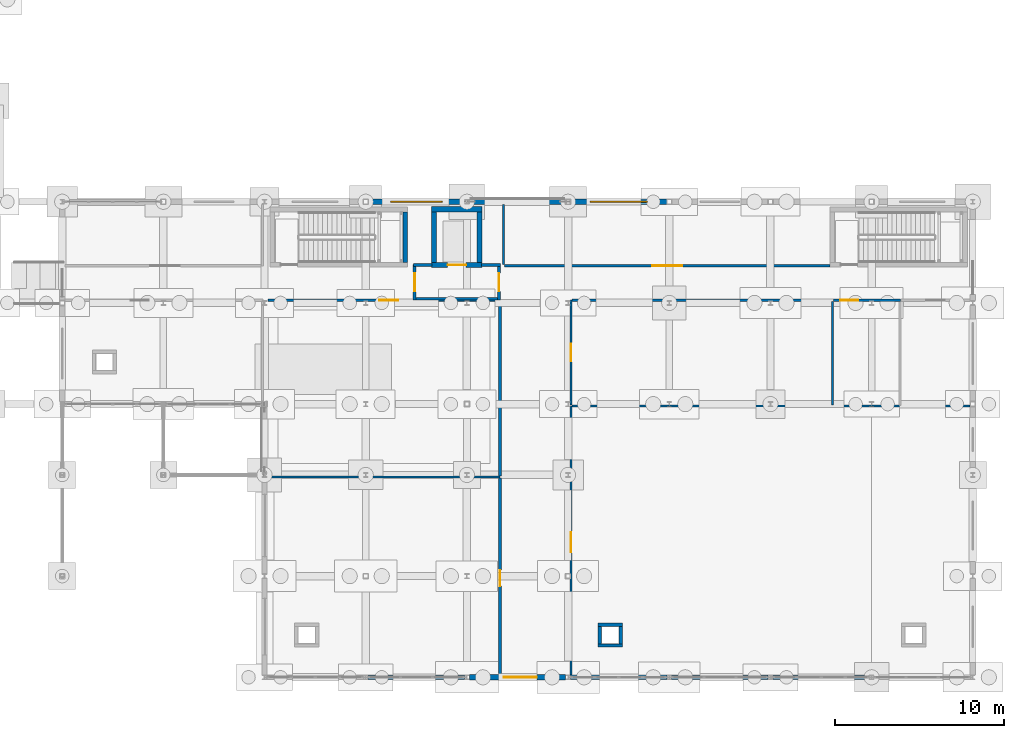
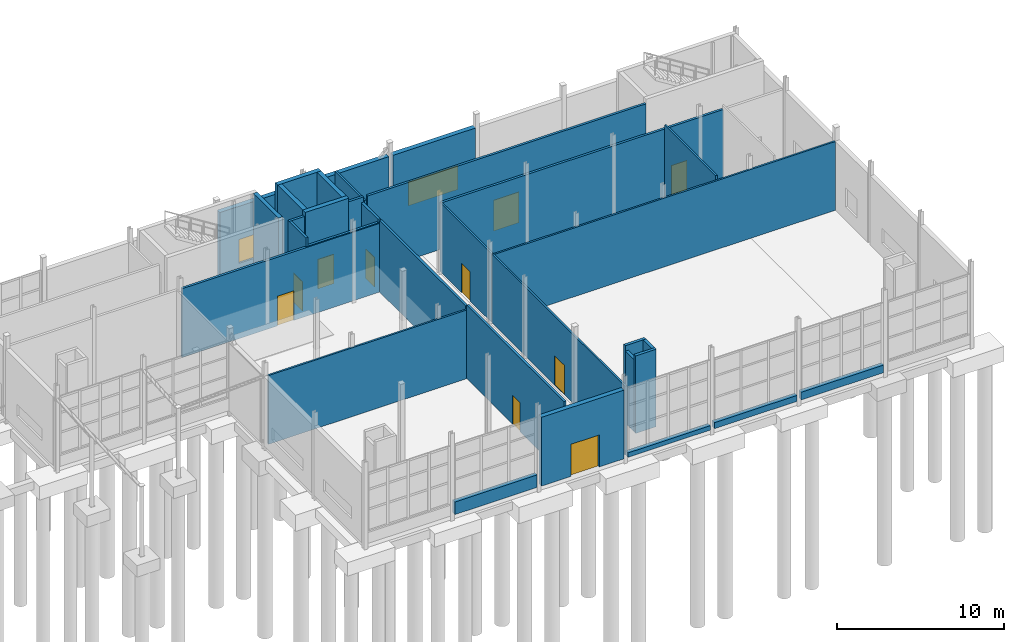
# One storey, part 101 of 120: 34 walls, 10 doors, 2 windows, 12 openings.
"""IFC4 building model written with IfcOpenShell, lengths in metres."""

from ifc_helpers import new_model, si_unit, direction, frame, frame_2d, origin, place, context, subcontext, project, spatial, rectangle, extrude, material, layer, layer_set, type_object, element, fill, save


model = new_model("IFC4")

# Units and contexts
model_context = context("Model", 3, precision=1e-05, world=origin(), true_north=direction((0.0, 1.0)))
body_context = subcontext(model_context, "Body", "Model", "MODEL_VIEW")
ifc_project = project(units=[si_unit("LENGTHUNIT", "METRE"), si_unit("AREAUNIT", "SQUARE_METRE"), si_unit("VOLUMEUNIT", "CUBIC_METRE"), si_unit("PLANEANGLEUNIT", "RADIAN"), si_unit("MASSUNIT", "GRAM", prefix="KILO")], contexts=[model_context])

# Site, building, storey
site_placement = place(None, origin())
site = spatial("IfcSite", under=ifc_project, at=site_placement, CompositionType="ELEMENT")
building_placement = place(site_placement, origin())
building = spatial("IfcBuilding", under=site, at=building_placement, Name="Siltcreek Boulevard Central Fire Station", CompositionType="ELEMENT")
storey_placement = place(building_placement, origin())
storey = spatial("IfcBuildingStorey", under=building, at=storey_placement, Name="L01", CompositionType="ELEMENT", Elevation=0.0)

# Wall
ifc_material_1 = material(Name="Concrete C40/50", Category="concrete")
ifc_layer_1 = layer(ifc_material_1, 0.280029296875, Name="Concrete C40/50")
ifc_layer_set_1 = layer_set([ifc_layer_1], Name="Concrete C40/50")
wall_type_1 = type_object("IfcWallType", Name="CW_SHEAR280", PredefinedType="SHEAR", material=ifc_layer_set_1)
wall_1_placement = place(storey_placement, frame((132.5400390625, 26.39990234375, 0.0), z_axis=(0.0, 0.0, 1.0), x_axis=(0.0, 1.0, 0.0)))
element("IfcWall", 1, at=wall_1_placement, inside=storey, type_object=wall_type_1, Name="L01 ST-V6A stair enclosure east shear wall", PredefinedType="SHEAR", context=body_context, shape_type="SweptSolid", body=[
    extrude(rectangle(XDim=3.0, YDim=0.280029296875, at=frame_2d((1.5, 0.0))), origin(), (0.0, 0.0, 1.0), 6.0),
])

# Wall, opening, door
ifc_layer_2 = layer(ifc_material_1, 0.304931640625, Name="Concrete C40/50")
ifc_layer_set_2 = layer_set([ifc_layer_2], Name="Concrete C40/50")
wall_type_2 = type_object("IfcWallType", Name="CW_SHEAR305", PredefinedType="SHEAR", material=ifc_layer_set_2)
wall_2_placement = place(storey_placement, frame((134.094970703125, 26.24755859375, 0.0), z_axis=(0.0, 0.0, 1.0), x_axis=(1.0, 0.0, 0.0)))
wall_2 = element("IfcWall", 2, at=wall_2_placement, inside=storey, type_object=wall_type_2, Name="L01 EL-05 elevator shaft south shear wall", PredefinedType="SHEAR", context=body_context, shape_type="SweptSolid", body=[
    extrude(rectangle(XDim=3.010009765625, YDim=0.304931640625, at=frame_2d((1.5048828125, 0.0))), origin(), (0.0, 0.0, 1.0), 6.0),
])
opening_1_placement = place(wall_2_placement, frame((0.955078125, 0.0, 0.0)))
opening_1 = element("IfcOpeningElement", 3, at=opening_1_placement, cuts=wall_2, Name="Opening LD01", PredefinedType="OPENING", context=body_context, shape_type="SweptSolid", body=[
    extrude(rectangle(XDim=1.10009765625, YDim=2.14990234375, at=frame_2d((0.550048828125, 1.074951171875))), frame((0.0, 0.162353515625, 0.0), z_axis=(0.0, -1.0, 0.0), x_axis=(1.0, 0.0, 0.0)), (0.0, 0.0, 1.0), 0.324951171875),
])
ifc_material_2 = material(Name="Stainless steel fire-rated sliding elevator landing door", Category="steel")
door_type_1 = type_object("IfcDoorType", Name="DR_LD_110X215", OperationType="NOTDEFINED", PredefinedType="DOOR", material=ifc_material_2)
door_1_placement = place(opening_1_placement, origin())
door_1 = element("IfcDoor", 4, at=door_1_placement, inside=storey, type_object=door_type_1, Name="L01 EL-05 elevator sliding landing door LD-22", OperationType="SLIDING_TO_LEFT", OverallHeight=2.14990234375, OverallWidth=1.10009765625, PredefinedType="DOOR", context=body_context, shape_type="SweptSolid", body=[
    extrude(rectangle(XDim=1.10009765625, YDim=2.14990234375, at=frame_2d((0.550048828125, 1.074951171875))), frame((0.0, 0.02490234375, 0.0), z_axis=(0.0, -1.0, 0.0), x_axis=(1.0, 0.0, 0.0)), (0.0, 0.0, 1.0), 0.050048828125),
])
fill(opening_1, door_1)

# Walls
wall_3_placement = place(storey_placement, frame((137.10498046875, 29.552490234375, 0.0), z_axis=(0.0, 0.0, 1.0), x_axis=(-1.0, 0.0, 0.0)))
element("IfcWall", 5, at=wall_3_placement, inside=storey, type_object=wall_type_2, Name="L01 EL-05 elevator shaft north shear wall", PredefinedType="SHEAR", context=body_context, shape_type="SweptSolid", body=[
    extrude(rectangle(XDim=3.010009765625, YDim=0.304931640625, at=frame_2d((1.5048828125, 0.0))), origin(), (0.0, 0.0, 1.0), 6.0),
])
for number, where, z_axis, x_axis, name in (
    (6, (134.24755859375, 29.39990234375, 0.0), (0.0, 0.0, 1.0), (0.0, -1.0, 0.0), "L01 EL-05 elevator shaft west shear wall"),
    (7, (136.952392578125, 26.39990234375, 0.0), (0.0, 0.0, 1.0), (0.0, 1.0, 0.0), "L01 EL-05 elevator shaft east shear wall"),
):
    element("IfcWall", number, at=place(storey_placement, frame(where, z_axis=z_axis, x_axis=x_axis)), inside=storey, type_object=wall_type_2, Name=name, PredefinedType="SHEAR", context=body_context, shape_type="SweptSolid", body=[
        extrude(rectangle(XDim=3.0, YDim=0.304931640625, at=frame_2d((1.5, 0.0))), origin(), (0.0, 0.0, 1.0), 6.0),
    ])
ifc_material_3 = material(Name="White ribbed aluminum spandrel wall", Category="aluminium")
ifc_layer_3 = layer(ifc_material_3, 0.2900390625, Name="White ribbed aluminum spandrel wall")
ifc_layer_set_3 = layer_set([ifc_layer_3], Name="White ribbed aluminum spandrel wall")
wall_type_3 = type_object("IfcWallType", Name="EW_METAL290", PredefinedType="STANDARD", material=ifc_layer_set_3)
wall_4_placement = place(storey_placement, frame((130.344970703125, 1.800048828125, 0.0), z_axis=(0.0, 0.0, 1.0), x_axis=(1.0, 0.0, 0.0)))
element("IfcWall", 8, at=wall_4_placement, inside=storey, type_object=wall_type_3, Name="L01 V6 curtain-wall sill spandrel 0430", PredefinedType="STANDARD", context=body_context, shape_type="SweptSolid", body=[
    extrude(rectangle(XDim=5.7099609375, YDim=0.2900390625, at=frame_2d((2.85498046875, 0.0))), origin(), (0.0, 0.0, 1.0), 0.919921875),
])
wall_5_placement = place(storey_placement, frame((142.344970703125, 1.800048828125, 0.0), z_axis=(0.0, 0.0, 1.0), x_axis=(1.0, 0.0, 0.0)))
element("IfcWall", 9, at=wall_5_placement, inside=storey, type_object=wall_type_3, Name="L01 V6 curtain-wall sill spandrel 0432", PredefinedType="STANDARD", context=body_context, shape_type="SweptSolid", body=[
    extrude(rectangle(XDim=5.7099609375, YDim=0.2900390625, at=frame_2d((2.85498046875, 0.0))), origin(), (0.0, 0.0, 1.0), 0.320068359375),
])
wall_6_placement = place(storey_placement, frame((148.344970703125, 1.800048828125, 0.0), z_axis=(0.0, 0.0, 1.0), x_axis=(1.0, 0.0, 0.0)))
element("IfcWall", 10, at=wall_6_placement, inside=storey, type_object=wall_type_3, Name="L01 V6 curtain-wall sill spandrel 0433", PredefinedType="STANDARD", context=body_context, shape_type="SweptSolid", body=[
    extrude(rectangle(XDim=5.7099609375, YDim=0.2900390625, at=frame_2d((2.85498046875, 0.0))), origin(), (0.0, 0.0, 1.0), 0.43994140625),
])
wall_7_placement = place(storey_placement, frame((154.344970703125, 1.800048828125, 0.0), z_axis=(0.0, 0.0, 1.0), x_axis=(1.0, 0.0, 0.0)))
element("IfcWall", 11, at=wall_7_placement, inside=storey, type_object=wall_type_3, Name="L01 V6 curtain-wall sill spandrel 0434", PredefinedType="STANDARD", context=body_context, shape_type="SweptSolid", body=[
    extrude(rectangle(XDim=5.7099609375, YDim=0.2900390625, at=frame_2d((2.85498046875, 0.0))), origin(), (0.0, 0.0, 1.0), 0.56005859375),
])

# Wall, opening, door
ifc_material_4 = material(Name="White ribbed aluminum insulated rainscreen panel", Category="aluminium")
ifc_layer_4 = layer(ifc_material_4, 0.320068359375, Name="White ribbed aluminum insulated rainscreen panel")
ifc_layer_set_4 = layer_set([ifc_layer_4], Name="White ribbed aluminum insulated rainscreen panel")
wall_type_4 = type_object("IfcWallType", Name="EW_METAL320", PredefinedType="STANDARD", material=ifc_layer_set_4)
wall_8_placement = place(storey_placement, frame((136.344970703125, 1.800048828125, 0.0), z_axis=(0.0, 0.0, 1.0), x_axis=(1.0, 0.0, 0.0)))
wall_8 = element("IfcWall", 12, at=wall_8_placement, inside=storey, type_object=wall_type_4, Name="L01 V6 exterior insulated rainscreen wall WL-EXT-L01-0431", PredefinedType="STANDARD", context=body_context, shape_type="SweptSolid", body=[
    extrude(rectangle(XDim=5.7099609375, YDim=0.320068359375, at=frame_2d((2.85498046875, 0.0))), origin(), (0.0, 0.0, 1.0), 5.034912109375),
])
opening_2_placement = place(wall_8_placement, frame((2.052001953125, 0.0, 0.0)))
opening_2 = element("IfcOpeningElement", 13, at=opening_2_placement, cuts=wall_8, Name="Opening ED-142", PredefinedType="OPENING", context=body_context, shape_type="SweptSolid", body=[
    extrude(rectangle(XDim=1.949951171875, YDim=2.35009765625, at=frame_2d((0.97509765625, 1.175048828125))), frame((0.0, 0.169921875, 0.0), z_axis=(0.0, -1.0, 0.0), x_axis=(1.0, 0.0, 0.0)), (0.0, 0.0, 1.0), 0.340087890625),
])
ifc_material_5 = material(Name="Hollow metal insulated exit discharge pair")
door_type_2 = type_object("IfcDoorType", Name="DR_EXT_195X235", OperationType="NOTDEFINED", PredefinedType="DOOR", material=ifc_material_5)
door_2_placement = place(opening_2_placement, frame((1.949951171875, 0.0, 0.0), z_axis=(0.0, 0.0, 1.0), x_axis=(-1.0, 0.0, 0.0)))
door_2 = element("IfcDoor", 14, at=door_2_placement, inside=storey, type_object=door_type_2, Name="Ground level pedestrian final exit door ED-142", OperationType="DOUBLE_DOOR_SINGLE_SWING", OverallHeight=2.35009765625, OverallWidth=1.949951171875, PredefinedType="DOOR", context=body_context, shape_type="SweptSolid", body=[
    extrude(rectangle(XDim=1.949951171875, YDim=2.35009765625, at=frame_2d((0.97509765625, 1.175048828125))), frame((0.0, 0.02490234375, 0.0), z_axis=(0.0, -1.0, 0.0), x_axis=(1.0, 0.0, 0.0)), (0.0, 0.0, 1.0), 0.050048828125),
])
fill(opening_2, door_2)

# Wall, opening, window
wall_9_placement = place(storey_placement, frame((136.054931640625, 30.0, 0.0), z_axis=(0.0, 0.0, 1.0), x_axis=(-1.0, 0.0, 0.0)))
wall_9 = element("IfcWall", 15, at=wall_9_placement, inside=storey, type_object=wall_type_4, Name="L01 V6 exterior insulated rainscreen wall WL-EXT-L01-0441", PredefinedType="STANDARD", context=body_context, shape_type="SweptSolid", body=[
    extrude(rectangle(XDim=5.7099609375, YDim=0.320068359375, at=frame_2d((2.85498046875, 0.0))), origin(), (0.0, 0.0, 1.0), 5.034912109375),
])
opening_3_placement = place(wall_9_placement, frame((1.330078125, 0.0, 0.85009765625)))
opening_3 = element("IfcOpeningElement", 16, at=opening_3_placement, cuts=wall_9, Name="Opening WN24", PredefinedType="OPENING", context=body_context, shape_type="SweptSolid", body=[
    extrude(rectangle(XDim=3.050048828125, YDim=1.75, at=frame_2d((1.52490234375, 0.875))), frame((0.0, 0.169921875, 0.0), z_axis=(0.0, -1.0, 0.0), x_axis=(1.0, 0.0, 0.0)), (0.0, 0.0, 1.0), 0.340087890625),
])
ifc_material_6 = material(Name="Thermally broken aluminum frame with low-E insulated glass", Category="aluminium")
window_type_1 = type_object("IfcWindowType", Name="WN_PB_305X175", PartitioningType="SINGLE_PANEL", PredefinedType="WINDOW", material=ifc_material_6)
window_1_placement = place(opening_3_placement, origin())
window_1 = element("IfcWindow", 17, at=window_1_placement, inside=storey, type_object=window_type_1, Name="L01 V6 exterior window WN-0165", OverallHeight=1.75, OverallWidth=3.050048828125, PartitioningType="SINGLE_PANEL", PredefinedType="WINDOW", context=body_context, shape_type="SweptSolid", body=[
    extrude(rectangle(XDim=3.050048828125, YDim=1.75, at=frame_2d((1.52490234375, 0.875))), frame((0.0, 0.030029296875, 0.0), z_axis=(0.0, -1.0, 0.0), x_axis=(1.0, 0.0, 0.0)), (0.0, 0.0, 1.0), 0.06005859375),
])
fill(opening_3, window_1)

# Wall
wall_10_placement = place(storey_placement, frame((142.054931640625, 30.0, 0.0), z_axis=(0.0, 0.0, 1.0), x_axis=(-1.0, 0.0, 0.0)))
element("IfcWall", 18, at=wall_10_placement, inside=storey, type_object=wall_type_4, Name="L01 V6 exterior insulated rainscreen wall WL-EXT-L01-0442", PredefinedType="STANDARD", context=body_context, shape_type="SweptSolid", body=[
    extrude(rectangle(XDim=5.7099609375, YDim=0.320068359375, at=frame_2d((2.85498046875, 0.0))), origin(), (0.0, 0.0, 1.0), 5.034912109375),
])

# Wall, opening, window
wall_11_placement = place(storey_placement, frame((148.054931640625, 30.0, 0.0), z_axis=(0.0, 0.0, 1.0), x_axis=(-1.0, 0.0, 0.0)))
wall_11 = element("IfcWall", 19, at=wall_11_placement, inside=storey, type_object=wall_type_4, Name="L01 V6 exterior insulated rainscreen wall WL-EXT-L01-0443", PredefinedType="STANDARD", context=body_context, shape_type="SweptSolid", body=[
    extrude(rectangle(XDim=5.7099609375, YDim=0.320068359375, at=frame_2d((2.85498046875, 0.0))), origin(), (0.0, 0.0, 1.0), 5.034912109375),
])
opening_4_placement = place(wall_11_placement, frame((1.155029296875, 0.0, 0.85009765625)))
opening_4 = element("IfcOpeningElement", 20, at=opening_4_placement, cuts=wall_11, Name="Opening WN25", PredefinedType="OPENING", context=body_context, shape_type="SweptSolid", body=[
    extrude(rectangle(XDim=3.39990234375, YDim=1.75, at=frame_2d((1.699951171875, 0.875))), frame((0.0, 0.169921875, 0.0), z_axis=(0.0, -1.0, 0.0), x_axis=(1.0, 0.0, 0.0)), (0.0, 0.0, 1.0), 0.340087890625),
])
window_type_2 = type_object("IfcWindowType", Name="WN_PB_340X175", PartitioningType="SINGLE_PANEL", PredefinedType="WINDOW", material=ifc_material_6)
window_2_placement = place(opening_4_placement, origin())
window_2 = element("IfcWindow", 21, at=window_2_placement, inside=storey, type_object=window_type_2, Name="L01 V6 exterior window WN-0166", OverallHeight=1.75, OverallWidth=3.39990234375, PartitioningType="SINGLE_PANEL", PredefinedType="WINDOW", context=body_context, shape_type="SweptSolid", body=[
    extrude(rectangle(XDim=3.39990234375, YDim=1.75, at=frame_2d((1.699951171875, 0.875))), frame((0.0, 0.030029296875, 0.0), z_axis=(0.0, -1.0, 0.0), x_axis=(1.0, 0.0, 0.0)), (0.0, 0.0, 1.0), 0.06005859375),
])
fill(opening_4, window_2)

# Walls
ifc_material_7 = material(Name="Fire-rated concrete masonry and gypsum barrier", Category="masonry")
ifc_layer_5 = layer(ifc_material_7, 0.199951171875, Name="Fire-rated concrete masonry and gypsum barrier")
ifc_layer_set_5 = layer_set([ifc_layer_5], Name="Fire-rated concrete masonry and gypsum barrier")
wall_type_5 = type_object("IfcWallType", Name="IW_FIRE200", PredefinedType="PARTITIONING", material=ifc_layer_set_5)
wall_12_placement = place(storey_placement, frame((143.985107421875, 3.68505859375, 0.0), z_axis=(0.0, 0.0, 1.0), x_axis=(1.0, 0.0, 0.0)))
element("IfcWall", 22, at=wall_12_placement, inside=storey, type_object=wall_type_5, Name="L01 enclosed MEP service riser wall 015-S", PredefinedType="PARTITIONING", context=body_context, shape_type="SweptSolid", body=[
    extrude(rectangle(XDim=1.429931640625, YDim=0.199951171875, at=frame_2d((0.71484375, 0.0))), origin(), (0.0, 0.0, 1.0), 5.679931640625),
])
wall_13_placement = place(storey_placement, frame((145.31494140625, 3.784912109375, 0.0), z_axis=(0.0, 0.0, 1.0), x_axis=(0.0, 1.0, 0.0)))
element("IfcWall", 23, at=wall_13_placement, inside=storey, type_object=wall_type_5, Name="L01 enclosed MEP service riser wall 015-E", PredefinedType="PARTITIONING", context=body_context, shape_type="SweptSolid", body=[
    extrude(rectangle(XDim=1.030029296875, YDim=0.199951171875, at=frame_2d((0.51513671875, 0.0))), origin(), (0.0, 0.0, 1.0), 5.679931640625),
])
wall_14_placement = place(storey_placement, frame((145.4150390625, 4.9150390625, 0.0), z_axis=(0.0, 0.0, 1.0), x_axis=(-1.0, 0.0, 0.0)))
element("IfcWall", 24, at=wall_14_placement, inside=storey, type_object=wall_type_5, Name="L01 enclosed MEP service riser wall 015-N", PredefinedType="PARTITIONING", context=body_context, shape_type="SweptSolid", body=[
    extrude(rectangle(XDim=1.429931640625, YDim=0.199951171875, at=frame_2d((0.71484375, 0.0))), origin(), (0.0, 0.0, 1.0), 5.679931640625),
])
wall_15_placement = place(storey_placement, frame((144.0849609375, 4.81494140625, 0.0), z_axis=(0.0, 0.0, 1.0), x_axis=(0.0, -1.0, 0.0)))
element("IfcWall", 25, at=wall_15_placement, inside=storey, type_object=wall_type_5, Name="L01 enclosed MEP service riser wall 015-W", PredefinedType="PARTITIONING", context=body_context, shape_type="SweptSolid", body=[
    extrude(rectangle(XDim=1.030029296875, YDim=0.199951171875, at=frame_2d((0.51513671875, 0.0))), origin(), (0.0, 0.0, 1.0), 5.2939453125),
])

# Wall, opening, door
ifc_material_8 = material(Name="Interior steel stud gypsum partition", Category="steel")
ifc_layer_6 = layer(ifc_material_8, 0.125, Name="Interior steel stud gypsum partition")
ifc_layer_set_6 = layer_set([ifc_layer_6], Name="Interior steel stud gypsum partition")
wall_type_6 = type_object("IfcWallType", Name="IW_PART125", PredefinedType="PARTITIONING", material=ifc_layer_set_6)
wall_16_placement = place(storey_placement, frame((142.3701171875, 1.945068359375, 0.0), z_axis=(0.0, 0.0, 1.0), x_axis=(0.0, 1.0, 0.0)))
wall_16 = element("IfcWall", 26, at=wall_16_placement, inside=storey, type_object=wall_type_6, Name="L01 Community Safety Hall partition 0097", PredefinedType="PARTITIONING", context=body_context, shape_type="SweptSolid", body=[
    extrude(rectangle(XDim=15.9375, YDim=0.125, at=frame_2d((7.96875, 0.0))), origin(), (0.0, 0.0, 1.0), 5.0439453125),
])
opening_5_placement = place(wall_16_placement, frame((7.267578125, 0.0, 0.0)))
opening_5 = element("IfcOpeningElement", 27, at=opening_5_placement, cuts=wall_16, Name="Opening ID13", PredefinedType="OPENING", context=body_context, shape_type="SweptSolid", body=[
    extrude(rectangle(XDim=1.179931640625, YDim=2.159912109375, at=frame_2d((0.58984375, 1.080078125))), frame((0.0, 0.072509765625, 0.0), z_axis=(0.0, -1.0, 0.0), x_axis=(1.0, 0.0, 0.0)), (0.0, 0.0, 1.0), 0.14501953125),
])
ifc_material_9 = material(Name="Antimicrobial walk-in triage door")
door_type_3 = type_object("IfcDoorType", Name="DR_MED_118X216", OperationType="NOTDEFINED", PredefinedType="DOOR", material=ifc_material_9)
door_3_placement = place(opening_5_placement, origin())
door_3 = element("IfcDoor", 28, at=door_3_placement, inside=storey, type_object=door_type_3, Name="L01 Community Safety Hall door ID-0044", OperationType="SINGLE_SWING_LEFT", OverallHeight=2.159912109375, OverallWidth=1.179931640625, PredefinedType="DOOR", context=body_context, shape_type="SweptSolid", body=[
    extrude(rectangle(XDim=1.179931640625, YDim=2.159912109375, at=frame_2d((0.58984375, 1.080078125))), frame((0.0, 0.02490234375, 0.0), z_axis=(0.0, -1.0, 0.0), x_axis=(1.0, 0.0, 0.0)), (0.0, 0.0, 1.0), 0.050048828125),
])
fill(opening_5, door_3)

# Walls
wall_17_placement = place(storey_placement, frame((142.4326171875, 17.8798828125, 0.0), z_axis=(0.0, 0.0, 1.0), x_axis=(1.0, 0.0, 0.0)))
element("IfcWall", 29, at=wall_17_placement, inside=storey, type_object=wall_type_6, Name="L01 Community Safety Hall partition 0098", PredefinedType="PARTITIONING", context=body_context, shape_type="SweptSolid", body=[
    extrude(rectangle(XDim=23.607421875, YDim=0.125, at=frame_2d((11.8037109375, 0.0))), origin(), (0.0, 0.0, 1.0), 5.034912109375),
])
wall_18_placement = place(storey_placement, frame((124.360107421875, 13.679931640625, 0.0), z_axis=(0.0, 0.0, 1.0), x_axis=(1.0, 0.0, 0.0)))
element("IfcWall", 30, at=wall_18_placement, inside=storey, type_object=wall_type_6, Name="L01 Staff Cafe and Espresso Bar partition 0099", PredefinedType="PARTITIONING", context=body_context, shape_type="SweptSolid", body=[
    extrude(rectangle(XDim=13.802490234375, YDim=0.125, at=frame_2d((6.9013671875, 0.0))), origin(), (0.0, 0.0, 1.0), 5.034912109375),
])

# Wall, opening, door
wall_19_placement = place(storey_placement, frame((142.3701171875, 17.9423828125, 0.0), z_axis=(0.0, 0.0, 1.0), x_axis=(0.0, 1.0, 0.0)))
wall_19 = element("IfcWall", 31, at=wall_19_placement, inside=storey, type_object=wall_type_6, Name="L01 Public Safety Exhibit Gallery partition 0103", PredefinedType="PARTITIONING", context=body_context, shape_type="SweptSolid", body=[
    extrude(rectangle(XDim=6.22021484375, YDim=0.125, at=frame_2d((3.110107421875, 0.0))), origin(), (0.0, 0.0, 1.0), 5.0439453125),
])
opening_6_placement = place(wall_19_placement, frame((2.594970703125, 0.0, 0.0)))
opening_6 = element("IfcOpeningElement", 32, at=opening_6_placement, cuts=wall_19, Name="Opening ID01", PredefinedType="OPENING", context=body_context, shape_type="SweptSolid", body=[
    extrude(rectangle(XDim=1.030029296875, YDim=2.14990234375, at=frame_2d((0.51513671875, 1.074951171875))), frame((0.0, 0.072509765625, 0.0), z_axis=(0.0, -1.0, 0.0), x_axis=(1.0, 0.0, 0.0)), (0.0, 0.0, 1.0), 0.14501953125),
])
ifc_material_10 = material(Name="Solid-core timber acoustic classroom door", Category="wood")
door_type_4 = type_object("IfcDoorType", Name="DR_CLS_103X215", OperationType="NOTDEFINED", PredefinedType="DOOR", material=ifc_material_10)
door_4_placement = place(opening_6_placement, origin())
door_4 = element("IfcDoor", 33, at=door_4_placement, inside=storey, type_object=door_type_4, Name="L01 Public Safety Exhibit Gallery door ID-0047", OperationType="SINGLE_SWING_RIGHT", OverallHeight=2.14990234375, OverallWidth=1.030029296875, PredefinedType="DOOR", context=body_context, shape_type="SweptSolid", body=[
    extrude(rectangle(XDim=1.030029296875, YDim=2.14990234375, at=frame_2d((0.51513671875, 1.074951171875))), frame((0.0, 0.02490234375, 0.0), z_axis=(0.0, -1.0, 0.0), x_axis=(1.0, 0.0, 0.0)), (0.0, 0.0, 1.0), 0.050048828125),
])
fill(opening_6, door_4)

# Walls
wall_20_placement = place(storey_placement, frame((157.8798828125, 24.080078125, 0.0), z_axis=(0.0, 0.0, 1.0), x_axis=(0.0, -1.0, 0.0)))
element("IfcWall", 34, at=wall_20_placement, inside=storey, type_object=wall_type_6, Name="L01 Public Safety Exhibit Gallery partition 0105", PredefinedType="PARTITIONING", context=body_context, shape_type="SweptSolid", body=[
    extrude(rectangle(XDim=6.1376953125, YDim=0.125, at=frame_2d((3.06884765625, 0.0))), origin(), (0.0, 0.0, 1.0), 5.339111328125),
])
wall_21_placement = place(storey_placement, frame((138.3701171875, 26.280029296875, 0.0), z_axis=(0.0, 0.0, 1.0), x_axis=(0.0, 1.0, 0.0)))
element("IfcWall", 35, at=wall_21_placement, inside=storey, type_object=wall_type_6, Name="L01 Audio Visual Chair Storage Room partition 0109", PredefinedType="PARTITIONING", context=body_context, shape_type="SweptSolid", body=[
    extrude(rectangle(XDim=3.56005859375, YDim=0.125, at=frame_2d((1.780029296875, 0.0))), origin(), (0.0, 0.0, 1.0), 5.2939453125),
])
ifc_material_11 = material(Name="Acoustic smoke-barrier steel stud gypsum wall", Category="steel")
ifc_layer_7 = layer(ifc_material_11, 0.1650390625, Name="Acoustic smoke-barrier steel stud gypsum wall")
ifc_layer_set_7 = layer_set([ifc_layer_7], Name="Acoustic smoke-barrier steel stud gypsum wall")
wall_type_7 = type_object("IfcWallType", Name="IW_SMK165", PredefinedType="PARTITIONING", material=ifc_layer_set_7)
wall_22_placement = place(storey_placement, frame((133.02001953125, 24.25, 0.0), z_axis=(0.0, 0.0, 1.0), x_axis=(1.0, 0.0, 0.0)))
element("IfcWall", 36, at=wall_22_placement, inside=storey, type_object=wall_type_7, Name="L01 EL-05 elevator lobby S smoke partition", PredefinedType="PARTITIONING", context=body_context, shape_type="SweptSolid", body=[
    extrude(rectangle(XDim=5.159912109375, YDim=0.1650390625, at=frame_2d((2.580078125, 0.0))), origin(), (0.0, 0.0, 1.0), 5.034912109375),
])
for number, where, z_axis, x_axis, name in (
    (37, (133.02001953125, 26.24755859375, 0.0), (0.0, 0.0, 1.0), (1.0, 0.0, 0.0), "L01 EL-05 elevator lobby NW smoke partition"),
    (38, (137.06494140625, 26.24755859375, 0.0), (0.0, 0.0, 1.0), (1.0, 0.0, 0.0), "L01 EL-05 elevator lobby NE smoke partition"),
):
    element("IfcWall", number, at=place(storey_placement, frame(where, z_axis=z_axis, x_axis=x_axis)), inside=storey, type_object=wall_type_7, Name=name, PredefinedType="PARTITIONING", context=body_context, shape_type="SweptSolid", body=[
        extrude(rectangle(XDim=1.114990234375, YDim=0.1650390625, at=frame_2d((0.5576171875, 0.0))), origin(), (0.0, 0.0, 1.0), 5.679931640625),
    ])

# Wall, opening, door
wall_23_placement = place(storey_placement, frame((133.10009765625, 24.169921875, 0.0), z_axis=(0.0, 0.0, 1.0), x_axis=(0.0, 1.0, 0.0)))
wall_23 = element("IfcWall", 39, at=wall_23_placement, inside=storey, type_object=wall_type_7, Name="L01 EL-05 elevator lobby W smoke partition", PredefinedType="PARTITIONING", context=body_context, shape_type="SweptSolid", body=[
    extrude(rectangle(XDim=2.11767578125, YDim=0.1650390625, at=frame_2d((1.058837890625, 0.0))), origin(), (0.0, 0.0, 1.0), 5.679931640625),
])
opening_7_placement = place(wall_23_placement, frame((0.518798828125, 0.0, 0.0)))
opening_7 = element("IfcOpeningElement", 40, at=opening_7_placement, cuts=wall_23, Name="Opening DD01", PredefinedType="OPENING", context=body_context, shape_type="SweptSolid", body=[
    extrude(rectangle(XDim=1.080078125, YDim=2.139892578125, at=frame_2d((0.5400390625, 1.06982421875))), frame((0.0, 0.092529296875, 0.0), z_axis=(0.0, -1.0, 0.0), x_axis=(1.0, 0.0, 0.0)), (0.0, 0.0, 1.0), 0.18505859375),
])
ifc_material_12 = material(Name="Stainless steel positive-pressure decon airlock door", Category="steel")
door_type_5 = type_object("IfcDoorType", Name="DR_DEC_108X214", OperationType="NOTDEFINED", PredefinedType="DOOR", material=ifc_material_12)
door_5_placement = place(opening_7_placement, frame((1.080078125, 0.0, 0.0), z_axis=(0.0, 0.0, 1.0), x_axis=(-1.0, 0.0, 0.0)))
door_5 = element("IfcDoor", 41, at=door_5_placement, inside=storey, type_object=door_type_5, Name="L01 EL-05 elevator lobby W smoke door", OperationType="SINGLE_SWING_LEFT", OverallHeight=2.139892578125, OverallWidth=1.080078125, PredefinedType="DOOR", context=body_context, shape_type="SweptSolid", body=[
    extrude(rectangle(XDim=1.080078125, YDim=2.139892578125, at=frame_2d((0.5400390625, 1.06982421875))), frame((0.0, 0.02490234375, 0.0), z_axis=(0.0, -1.0, 0.0), x_axis=(1.0, 0.0, 0.0)), (0.0, 0.0, 1.0), 0.050048828125),
])
fill(opening_7, door_5)

wall_24_placement = place(storey_placement, frame((138.10009765625, 24.169921875, 0.0), z_axis=(0.0, 0.0, 1.0), x_axis=(0.0, 1.0, 0.0)))
wall_24 = element("IfcWall", 42, at=wall_24_placement, inside=storey, type_object=wall_type_7, Name="L01 EL-05 elevator lobby E smoke partition", PredefinedType="PARTITIONING", context=body_context, shape_type="SweptSolid", body=[
    extrude(rectangle(XDim=2.11767578125, YDim=0.1650390625, at=frame_2d((1.058837890625, 0.0))), origin(), (0.0, 0.0, 1.0), 5.2939453125),
])
opening_8_placement = place(wall_24_placement, frame((0.518798828125, 0.0, 0.0)))
opening_8 = element("IfcOpeningElement", 43, at=opening_8_placement, cuts=wall_24, Name="Opening DD01", PredefinedType="OPENING", context=body_context, shape_type="SweptSolid", body=[
    extrude(rectangle(XDim=1.080078125, YDim=2.139892578125, at=frame_2d((0.5400390625, 1.06982421875))), frame((0.0, 0.092529296875, 0.0), z_axis=(0.0, -1.0, 0.0), x_axis=(1.0, 0.0, 0.0)), (0.0, 0.0, 1.0), 0.18505859375),
])
door_6_placement = place(opening_8_placement, origin())
door_6 = element("IfcDoor", 44, at=door_6_placement, inside=storey, type_object=door_type_5, Name="L01 EL-05 elevator lobby E smoke door", OperationType="SINGLE_SWING_RIGHT", OverallHeight=2.139892578125, OverallWidth=1.080078125, PredefinedType="DOOR", context=body_context, shape_type="SweptSolid", body=[
    extrude(rectangle(XDim=1.080078125, YDim=2.139892578125, at=frame_2d((0.5400390625, 1.06982421875))), frame((0.0, 0.02490234375, 0.0), z_axis=(0.0, -1.0, 0.0), x_axis=(1.0, 0.0, 0.0)), (0.0, 0.0, 1.0), 0.050048828125),
])
fill(opening_8, door_6)

wall_25_placement = place(storey_placement, frame((138.159912109375, 13.617431640625, 0.0), z_axis=(0.0, 0.0, 1.0), x_axis=(0.0, -1.0, 0.0)))
wall_25 = element("IfcWall", 45, at=wall_25_placement, inside=storey, type_object=wall_type_7, Name="L01 Staff Cafe and Espresso Bar partition 0100", PredefinedType="PARTITIONING", context=body_context, shape_type="SweptSolid", body=[
    extrude(rectangle(XDim=11.657470703125, YDim=0.1650390625, at=frame_2d((5.82861328125, 0.0))), origin(), (0.0, 0.0, 1.0), 5.389892578125),
])
opening_9_placement = place(wall_25_placement, frame((5.46435546875, 0.0, 0.0)))
opening_9 = element("IfcOpeningElement", 46, at=opening_9_placement, cuts=wall_25, Name="Opening ID05", PredefinedType="OPENING", context=body_context, shape_type="SweptSolid", body=[
    extrude(rectangle(XDim=0.949951171875, YDim=2.1201171875, at=frame_2d((0.47509765625, 1.06005859375))), frame((0.0, 0.092529296875, 0.0), z_axis=(0.0, -1.0, 0.0), x_axis=(1.0, 0.0, 0.0)), (0.0, 0.0, 1.0), 0.18505859375),
])
ifc_material_13 = material(Name="STC-45 officer bunk suite door")
door_type_6 = type_object("IfcDoorType", Name="DR_OFS_095X212", OperationType="NOTDEFINED", PredefinedType="DOOR", material=ifc_material_13)
door_7_placement = place(opening_9_placement, origin())
door_7 = element("IfcDoor", 47, at=door_7_placement, inside=storey, type_object=door_type_6, Name="L01 Staff Cafe and Espresso Bar door ID-0045", OperationType="SINGLE_SWING_RIGHT", OverallHeight=2.1201171875, OverallWidth=0.949951171875, PredefinedType="DOOR", context=body_context, shape_type="SweptSolid", body=[
    extrude(rectangle(XDim=0.949951171875, YDim=2.1201171875, at=frame_2d((0.47509765625, 1.06005859375))), frame((0.0, 0.02490234375, 0.0), z_axis=(0.0, -1.0, 0.0), x_axis=(1.0, 0.0, 0.0)), (0.0, 0.0, 1.0), 0.050048828125),
])
fill(opening_9, door_7)

wall_26_placement = place(storey_placement, frame((124.3974609375, 24.159912109375, 0.0), z_axis=(0.0, 0.0, 1.0), x_axis=(1.0, 0.0, 0.0)))
wall_26 = element("IfcWall", 48, at=wall_26_placement, inside=storey, type_object=wall_type_7, Name="L01 Academy Administration Office partition 0101", PredefinedType="PARTITIONING", context=body_context, shape_type="SweptSolid", body=[
    extrude(rectangle(XDim=13.6826171875, YDim=0.1650390625, at=frame_2d((6.84130859375, 0.0))), origin(), (0.0, 0.0, 1.0), 5.034912109375),
])
opening_10_placement = place(wall_26_placement, frame((6.60986328125, 0.0, 0.0)))
opening_10 = element("IfcOpeningElement", 49, at=opening_10_placement, cuts=wall_26, Name="Opening ID07", PredefinedType="OPENING", context=body_context, shape_type="SweptSolid", body=[
    extrude(rectangle(XDim=1.1298828125, YDim=2.179931640625, at=frame_2d((0.56494140625, 1.08984375))), frame((0.0, 0.092529296875, 0.0), z_axis=(0.0, -1.0, 0.0), x_axis=(1.0, 0.0, 0.0)), (0.0, 0.0, 1.0), 0.18505859375),
])
ifc_material_14 = material(Name="Galvanized steel drill training prop door", Category="steel")
door_type_7 = type_object("IfcDoorType", Name="DR_DRL_113X218", OperationType="NOTDEFINED", PredefinedType="DOOR", material=ifc_material_14)
door_8_placement = place(opening_10_placement, frame((1.1298828125, 0.0, 0.0), z_axis=(0.0, 0.0, 1.0), x_axis=(-1.0, 0.0, 0.0)))
door_8 = element("IfcDoor", 50, at=door_8_placement, inside=storey, type_object=door_type_7, Name="L01 Academy Administration Office door ID-0046", OperationType="SINGLE_SWING_LEFT", OverallHeight=2.179931640625, OverallWidth=1.1298828125, PredefinedType="DOOR", context=body_context, shape_type="SweptSolid", body=[
    extrude(rectangle(XDim=1.1298828125, YDim=2.179931640625, at=frame_2d((0.56494140625, 1.08984375))), frame((0.0, 0.02490234375, 0.0), z_axis=(0.0, -1.0, 0.0), x_axis=(1.0, 0.0, 0.0)), (0.0, 0.0, 1.0), 0.050048828125),
])
fill(opening_10, door_8)

# Walls
wall_27_placement = place(storey_placement, frame((138.159912109375, 24.080078125, 0.0), z_axis=(0.0, 0.0, 1.0), x_axis=(0.0, -1.0, 0.0)))
element("IfcWall", 51, at=wall_27_placement, inside=storey, type_object=wall_type_7, Name="L01 Academy Administration Office partition 0102", PredefinedType="PARTITIONING", context=body_context, shape_type="SweptSolid", body=[
    extrude(rectangle(XDim=10.337646484375, YDim=0.1650390625, at=frame_2d((5.1689453125, 0.0))), origin(), (0.0, 0.0, 1.0), 5.2490234375),
])
wall_28_placement = place(storey_placement, frame((142.4326171875, 24.159912109375, 0.0), z_axis=(0.0, 0.0, 1.0), x_axis=(1.0, 0.0, 0.0)))
element("IfcWall", 52, at=wall_28_placement, inside=storey, type_object=wall_type_7, Name="L01 Public Safety Exhibit Gallery partition 0104", PredefinedType="PARTITIONING", context=body_context, shape_type="SweptSolid", body=[
    extrude(rectangle(XDim=15.469970703125, YDim=0.1650390625, at=frame_2d((7.73486328125, 0.0))), origin(), (0.0, 0.0, 1.0), 5.034912109375),
])

# Wall, opening, door
wall_29_placement = place(storey_placement, frame((157.9423828125, 24.159912109375, 0.0), z_axis=(0.0, 0.0, 1.0), x_axis=(1.0, 0.0, 0.0)))
wall_29 = element("IfcWall", 53, at=wall_29_placement, inside=storey, type_object=wall_type_7, Name="L01 Civic Public Toilet L01 partition 0106", PredefinedType="PARTITIONING", context=body_context, shape_type="SweptSolid", body=[
    extrude(rectangle(XDim=3.960205078125, YDim=0.1650390625, at=frame_2d((1.97998046875, 0.0))), origin(), (0.0, 0.0, 1.0), 5.034912109375),
])
opening_11_placement = place(wall_29_placement, frame((0.392578125, 0.0, 0.0)))
opening_11 = element("IfcOpeningElement", 54, at=opening_11_placement, cuts=wall_29, Name="Opening DD01", PredefinedType="OPENING", context=body_context, shape_type="SweptSolid", body=[
    extrude(rectangle(XDim=1.080078125, YDim=2.139892578125, at=frame_2d((0.5400390625, 1.06982421875))), frame((0.0, 0.092529296875, 0.0), z_axis=(0.0, -1.0, 0.0), x_axis=(1.0, 0.0, 0.0)), (0.0, 0.0, 1.0), 0.18505859375),
])
door_9_placement = place(opening_11_placement, frame((1.080078125, 0.0, 0.0), z_axis=(0.0, 0.0, 1.0), x_axis=(-1.0, 0.0, 0.0)))
door_9 = element("IfcDoor", 55, at=door_9_placement, inside=storey, type_object=door_type_5, Name="L01 Civic Public Toilet L01 door ID-0048", OperationType="SINGLE_SWING_LEFT", OverallHeight=2.139892578125, OverallWidth=1.080078125, PredefinedType="DOOR", context=body_context, shape_type="SweptSolid", body=[
    extrude(rectangle(XDim=1.080078125, YDim=2.139892578125, at=frame_2d((0.5400390625, 1.06982421875))), frame((0.0, 0.02490234375, 0.0), z_axis=(0.0, -1.0, 0.0), x_axis=(1.0, 0.0, 0.0)), (0.0, 0.0, 1.0), 0.050048828125),
])
fill(opening_11, door_9)

wall_30_placement = place(storey_placement, frame((157.719970703125, 26.199951171875, 0.0), z_axis=(0.0, 0.0, 1.0), x_axis=(-1.0, 0.0, 0.0)))
wall_30 = element("IfcWall", 56, at=wall_30_placement, inside=storey, type_object=wall_type_7, Name="L01 Audio Visual Chair Storage Room partition 0110", PredefinedType="PARTITIONING", context=body_context, shape_type="SweptSolid", body=[
    extrude(rectangle(XDim=19.287353515625, YDim=0.1650390625, at=frame_2d((9.6435546875, 0.0))), origin(), (0.0, 0.0, 1.0), 5.679931640625),
])
opening_12_placement = place(wall_30_placement, frame((8.763671875, 0.0, 0.0)))
opening_12 = element("IfcOpeningElement", 57, at=opening_12_placement, cuts=wall_30, Name="Opening AD01", PredefinedType="OPENING", context=body_context, shape_type="SweptSolid", body=[
    extrude(rectangle(XDim=1.760009765625, YDim=2.260009765625, at=frame_2d((0.8798828125, 1.1298828125))), frame((0.0, 0.092529296875, 0.0), z_axis=(0.0, -1.0, 0.0), x_axis=(1.0, 0.0, 0.0)), (0.0, 0.0, 1.0), 0.18505859375),
])
ifc_material_15 = material(Name="Acoustic solid-core lecture theatre vomitory pair")
door_type_8 = type_object("IfcDoorType", Name="DR_TH_176X226", OperationType="NOTDEFINED", PredefinedType="DOOR", material=ifc_material_15)
door_10_placement = place(opening_12_placement, frame((1.760009765625, 0.0, 0.0), z_axis=(0.0, 0.0, 1.0), x_axis=(-1.0, 0.0, 0.0)))
door_10 = element("IfcDoor", 58, at=door_10_placement, inside=storey, type_object=door_type_8, Name="L01 Audio Visual Chair Storage Room door ID-0050", OperationType="DOUBLE_DOOR_SINGLE_SWING", OverallHeight=2.260009765625, OverallWidth=1.760009765625, PredefinedType="DOOR", context=body_context, shape_type="SweptSolid", body=[
    extrude(rectangle(XDim=1.760009765625, YDim=2.260009765625, at=frame_2d((0.8798828125, 1.1298828125))), frame((0.0, 0.02490234375, 0.0), z_axis=(0.0, -1.0, 0.0), x_axis=(1.0, 0.0, 0.0)), (0.0, 0.0, 1.0), 0.050048828125),
])
fill(opening_12, door_10)

save(model, "model.ifc")
